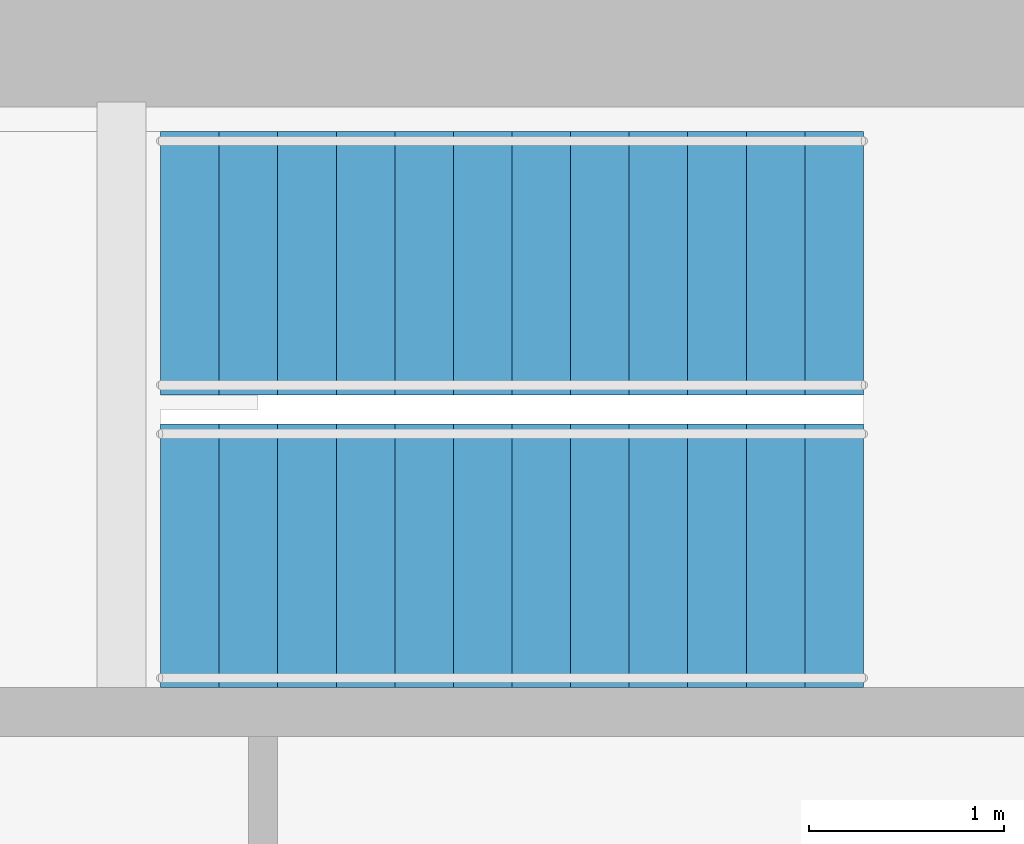
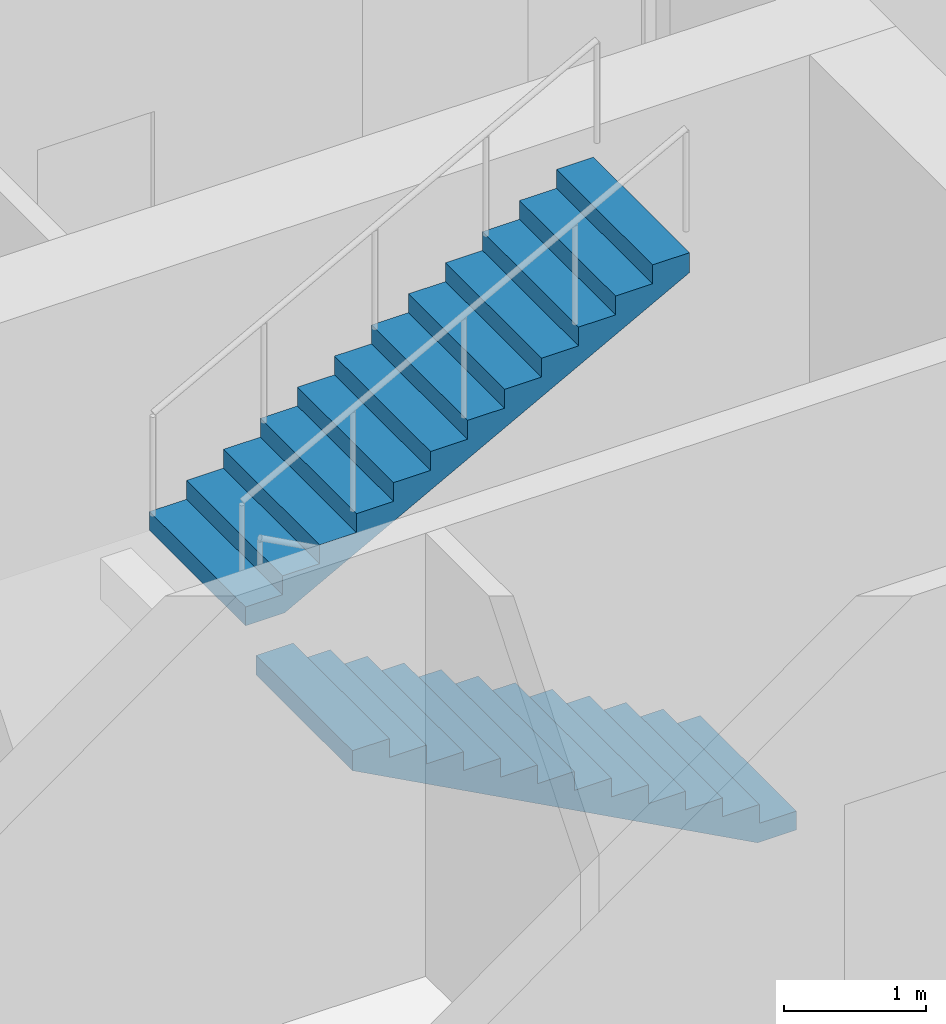
# One storey, part 10 of 12: 2 stair flights, 1 element without a shape of its own.
"""IFC4 building model written with IfcOpenShell, lengths in metres."""

from ifc_helpers import new_model, si_unit, direction, frame, origin, place, context, subcontext, project, spatial, polyline, outline, extrude, material, type_object, element, aggregate, save


model = new_model("IFC4")

# Units and contexts
model_context = context("Model", 3, precision=1e-05, world=origin(), true_north=direction((0.0, 1.0)))
body_context = subcontext(model_context, "Body", "Model", "MODEL_VIEW")
ifc_project = project(units=[si_unit("LENGTHUNIT", "METRE"), si_unit("AREAUNIT", "SQUARE_METRE"), si_unit("VOLUMEUNIT", "CUBIC_METRE"), si_unit("PLANEANGLEUNIT", "RADIAN"), si_unit("MASSUNIT", "GRAM", prefix="KILO")], contexts=[model_context])

# Site, building, storey
site_placement = place(None, origin())
site = spatial("IfcSite", under=ifc_project, at=site_placement, CompositionType="ELEMENT")
building_placement = place(site_placement, origin())
building = spatial("IfcBuilding", under=site, at=building_placement, Name="Msitu Wima Residences", CompositionType="ELEMENT")
storey_placement = place(building_placement, frame((0.0, 0.0, 200.10009765625)))
storey = spatial("IfcBuildingStorey", under=building, at=storey_placement, Name="L46", CompositionType="ELEMENT", Elevation=200.10009765625)

# Stair, stair flights
ifc_material = material(Name="Concrete C40/50", Category="concrete")
stair_type = type_object("IfcStairType", Name="Exit stair ES1615-135", PredefinedType="HALF_TURN_STAIR", material=ifc_material)
stair_placement = place(storey_placement, origin())
stair = element("IfcStair", 1, at=stair_placement, inside=storey, type_object=stair_type, Name="Exit stair 3", PredefinedType="HALF_TURN_STAIR")
stair_flight_type = type_object("IfcStairFlightType", Name="Exit stair flight ES1615-135", PredefinedType="STRAIGHT", material=ifc_material)
stair_flight_1_placement = place(storey_placement, frame((11.875, 9.0, 0.0), z_axis=(0.0, 0.0, 1.0), x_axis=(-1.0, 0.0, 0.0)))
stair_flight_1 = element("IfcStairFlight", 2, at=stair_flight_1_placement, type_object=stair_flight_type, Name="S3 flight 1", NumberOfRisers=13, NumberOfTreads=12, PredefinedType="STRAIGHT", RiserHeight=0.161538462, TreadLength=0.3, context=body_context, shape_type="SweptSolid", body=[
    extrude(outline(polyline([(0.0, 0.0), (0.0, 0.16162109375), (0.300048828125, 0.16162109375), (0.300048828125, 0.322998046875), (0.60009765625, 0.322998046875), (0.60009765625, 0.484619140625), (0.89990234375, 0.484619140625), (0.89990234375, 0.646240234375), (1.199951171875, 0.646240234375), (1.199951171875, 0.8076171875), (1.5, 0.8076171875), (1.5, 0.96923828125), (1.800048828125, 0.96923828125), (1.800048828125, 1.130859375), (2.10009765625, 1.130859375), (2.10009765625, 1.292236328125), (2.39990234375, 1.292236328125), (2.39990234375, 1.453857421875), (2.699951171875, 1.453857421875), (2.699951171875, 1.615478515625), (3.0, 1.615478515625), (3.0, 1.77685546875), (3.300048828125, 1.77685546875), (3.300048828125, 1.9384765625), (3.60009765625, 1.9384765625), (3.60009765625, 2.10009765625), (3.60009765625, 1.768310546875), (0.316162109375, 0.0), (0.0, 0.0)])), frame((0.0, 0.675048828125, 0.0), z_axis=(0.0, -1.0, 0.0), x_axis=(1.0, 0.0, 0.0)), (0.0, 0.0, 1.0), 1.35009765625),
])
stair_flight_2_placement = place(storey_placement, frame((8.27490234375, 10.5, 2.099853515625), z_axis=(0.0, 0.0, 1.0), x_axis=(1.0, 0.0, 0.0)))
stair_flight_2 = element("IfcStairFlight", 3, at=stair_flight_2_placement, type_object=stair_flight_type, Name="S3 flight 2", NumberOfRisers=13, NumberOfTreads=12, PredefinedType="STRAIGHT", RiserHeight=0.161538462, TreadLength=0.3, context=body_context, shape_type="SweptSolid", body=[
    extrude(outline(polyline([(0.0, 0.0), (0.0, 0.16162109375), (0.300048828125, 0.16162109375), (0.300048828125, 0.322998046875), (0.60009765625, 0.322998046875), (0.60009765625, 0.484619140625), (0.89990234375, 0.484619140625), (0.89990234375, 0.646240234375), (1.199951171875, 0.646240234375), (1.199951171875, 0.8076171875), (1.5, 0.8076171875), (1.5, 0.96923828125), (1.800048828125, 0.96923828125), (1.800048828125, 1.130859375), (2.10009765625, 1.130859375), (2.10009765625, 1.292236328125), (2.39990234375, 1.292236328125), (2.39990234375, 1.453857421875), (2.699951171875, 1.453857421875), (2.699951171875, 1.615478515625), (3.0, 1.615478515625), (3.0, 1.77685546875), (3.300048828125, 1.77685546875), (3.300048828125, 1.9384765625), (3.60009765625, 1.9384765625), (3.60009765625, 2.10009765625), (3.60009765625, 1.768310546875), (0.316162109375, 0.0), (0.0, 0.0)])), frame((0.0, 0.675048828125, 0.0), z_axis=(0.0, -1.0, 0.0), x_axis=(1.0, 0.0, 0.0)), (0.0, 0.0, 1.0), 1.35009765625),
])
aggregate(stair, [stair_flight_1, stair_flight_2])

save(model, "model.ifc")
